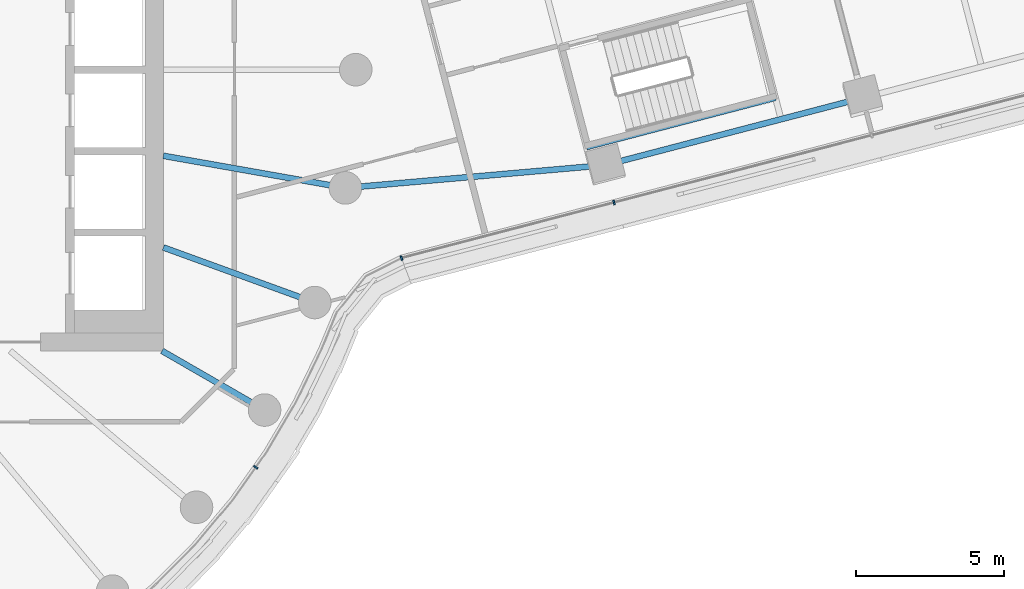
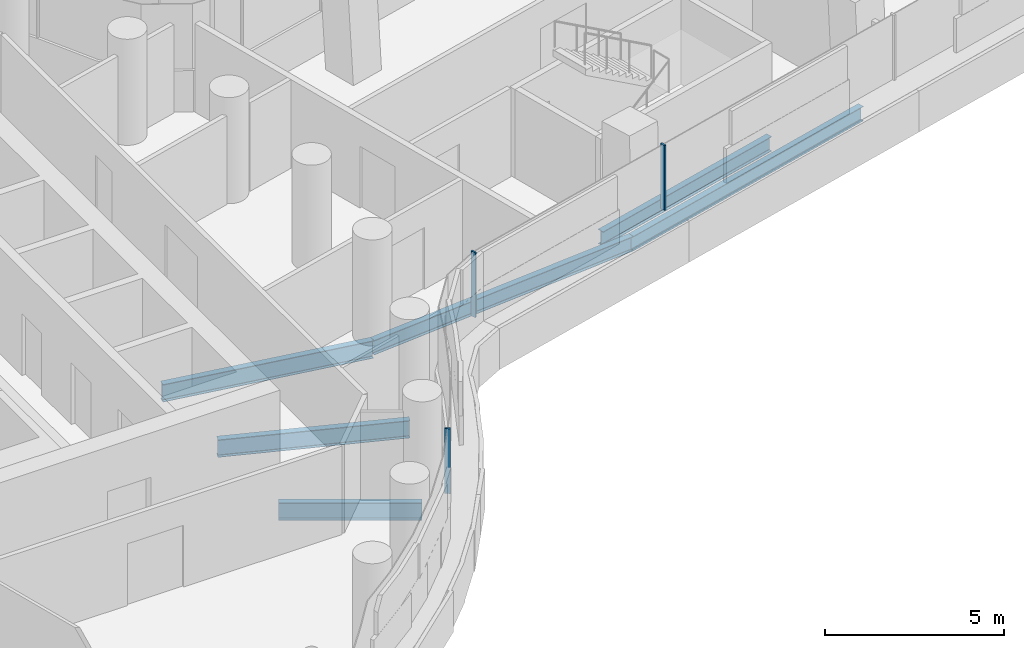
# One storey, part 9 of 30: 6 beams, 3 members, 2 elements without a shape of their own.
"""IFC4 building model written with IfcOpenShell, lengths in metres."""

from ifc_helpers import new_model, si_unit, direction, frame, origin, origin_2d, place, context, subcontext, project, spatial, rectangle, i_section, extrude, material, layer, layer_set, material_profile, profile_set, type_object, element, aggregate, save


model = new_model("IFC4")

# Units and contexts
model_context = context("Model", 3, precision=1e-05, world=origin(), true_north=direction((0.0, 1.0)))
body_context = subcontext(model_context, "Body", "Model", "MODEL_VIEW")
ifc_project = project(units=[si_unit("LENGTHUNIT", "METRE"), si_unit("AREAUNIT", "SQUARE_METRE"), si_unit("VOLUMEUNIT", "CUBIC_METRE"), si_unit("PLANEANGLEUNIT", "RADIAN"), si_unit("MASSUNIT", "GRAM", prefix="KILO")], contexts=[model_context])

# Site, building, storey
site_placement = place(None, origin())
site = spatial("IfcSite", under=ifc_project, at=site_placement, CompositionType="ELEMENT")
building_placement = place(site_placement, origin())
building = spatial("IfcBuilding", under=site, at=building_placement, Name="Tamarind Cross Interchange Tower", CompositionType="ELEMENT")
storey_placement = place(building_placement, frame((0.0, 0.0, 87.25)))
storey = spatial("IfcBuildingStorey", under=building, at=storey_placement, Name="L20", CompositionType="ELEMENT", Elevation=87.25)

# Beams
ifc_material_1 = material(Name="Steel Q355B", Category="steel")
ifc_material_profile_1 = material_profile(ifc_material_1, i_section(OverallWidth=0.198974609375, OverallDepth=0.49609375, WebThickness=0.009033203125, FlangeThickness=0.013916015625, FilletRadius=0.012939453125, at=origin_2d()), Name="HN 496x199x9x14")
ifc_profile_set_1 = profile_set([ifc_material_profile_1], Name="Steel Q355B")
beam_type_1 = type_object("IfcBeamType", Name="Composite beam HN 496x199x9x14 Q355B", PredefinedType="BEAM", material=ifc_profile_set_1)
beam_1_placement = place(storey_placement, frame((40.128173828125, -0.952880859375, -0.387939453125), z_axis=(-0.96758384761, -0.252549990783, 0.0), x_axis=(0.252549990783, -0.96758384761, 0.0)))
element("IfcBeam", 1, at=beam_1_placement, inside=storey, type_object=beam_type_1, Name="Beam E-edgeem6", PredefinedType="BEAM", context=body_context, shape_type="SweptSolid", body=[
    extrude(i_section(OverallWidth=0.198974609375, OverallDepth=0.49609375, WebThickness=0.009033203125, FlangeThickness=0.013916015625, FilletRadius=0.012939453125, at=origin_2d()), origin(), (0.0, 0.0, 1.0), 9.0),
])
beam_2_placement = place(storey_placement, frame((31.419921875, -3.225830078125, -0.387939453125), z_axis=(-0.996186278222, -0.08725192882, 0.0), x_axis=(0.08725192882, -0.996186278222, 0.0)))
element("IfcBeam", 2, at=beam_2_placement, inside=storey, type_object=beam_type_1, Name="Beam E-linkem", PredefinedType="BEAM", context=body_context, shape_type="SweptSolid", body=[
    extrude(i_section(OverallWidth=0.198974609375, OverallDepth=0.49609375, WebThickness=0.009033203125, FlangeThickness=0.013916015625, FilletRadius=0.012939453125, at=origin_2d()), origin(), (0.0, 0.0, 1.0), 8.802978515625),
])
beam_3_placement = place(storey_placement, frame((30.795166015625, -2.61376953125, -0.387939453125), z_axis=(0.967586231521, 0.252540857231, 0.0), x_axis=(-0.252540857231, 0.967586231521, 0.0)))
element("IfcBeam", 3, at=beam_3_placement, inside=storey, type_object=beam_type_1, Name="Beam E-tr0", PredefinedType="BEAM", context=body_context, shape_type="SweptSolid", body=[
    extrude(i_section(OverallWidth=0.198974609375, OverallDepth=0.49609375, WebThickness=0.009033203125, FlangeThickness=0.013916015625, FilletRadius=0.012939453125, at=origin_2d()), origin(), (0.0, 0.0, 1.0), 6.599853515625),
])
ifc_material_profile_2 = material_profile(ifc_material_1, i_section(OverallWidth=0.198974609375, OverallDepth=0.595947265625, WebThickness=0.010009765625, FlangeThickness=0.014892578125, FilletRadius=0.012939453125, at=origin_2d()), Name="HN 596x199x10x15")
ifc_profile_set_2 = profile_set([ifc_material_profile_2], Name="Steel Q355B")
beam_type_2 = type_object("IfcBeamType", Name="Composite beam HN 596x199x10x15 Q355B", PredefinedType="BEAM", material=ifc_profile_set_2)
beam_4_placement = place(storey_placement, frame((19.918701171875, -11.5, -0.43798828125), z_axis=(-0.866026010844, 0.49999894854, 0.0), x_axis=(-0.49999894854, -0.866026010844, 0.0)))
element("IfcBeam", 4, at=beam_4_placement, inside=storey, type_object=beam_type_2, Name="Beam HH33", PredefinedType="BEAM", context=body_context, shape_type="SweptSolid", body=[
    extrude(i_section(OverallWidth=0.198974609375, OverallDepth=0.595947265625, WebThickness=0.010009765625, FlangeThickness=0.014892578125, FilletRadius=0.012939453125, at=origin_2d()), origin(), (0.0, 0.0, 1.0), 4.0),
])
beam_5_placement = place(storey_placement, frame((21.613037109375, -7.866455078125, -0.43798828125), z_axis=(-0.939701685589, 0.341995236956, 0.0), x_axis=(-0.341995236956, -0.939701685589, 0.0)))
element("IfcBeam", 5, at=beam_5_placement, inside=storey, type_object=beam_type_2, Name="Beam HH34", PredefinedType="BEAM", context=body_context, shape_type="SweptSolid", body=[
    extrude(i_section(OverallWidth=0.198974609375, OverallDepth=0.595947265625, WebThickness=0.010009765625, FlangeThickness=0.014892578125, FilletRadius=0.012939453125, at=origin_2d()), origin(), (0.0, 0.0, 1.0), 5.441162109375),
])
beam_6_placement = place(storey_placement, frame((22.650634765625, -3.993896484375, -0.43798828125), z_axis=(-0.984809127561, 0.173640382036, 0.0), x_axis=(-0.173640382036, -0.984809127561, 0.0)))
element("IfcBeam", 6, at=beam_6_placement, inside=storey, type_object=beam_type_2, Name="Beam HH35", PredefinedType="BEAM", context=body_context, shape_type="SweptSolid", body=[
    extrude(i_section(OverallWidth=0.198974609375, OverallDepth=0.595947265625, WebThickness=0.010009765625, FlangeThickness=0.014892578125, FilletRadius=0.012939453125, at=origin_2d()), origin(), (0.0, 0.0, 1.0), 6.24560546875),
])

# Curtain wall, member
ifc_material_2 = material(Name="Aluminium 6063-T6", Category="aluminium")
ifc_layer = layer(ifc_material_2, 0.159912109375)
ifc_layer_set = layer_set([ifc_layer], Name="Aluminium 6063-T6")
curtain_wall_type = type_object("IfcCurtainWallType", Name="Office curtain wall, 9.0 m bays", PredefinedType="NOTDEFINED", material=ifc_layer_set)
curtain_wall_1_placement = place(storey_placement, origin())
curtain_wall_1 = element("IfcCurtainWall", 7, at=curtain_wall_1_placement, inside=storey, type_object=curtain_wall_type, Name="CWS-L20-10", PredefinedType="NOTDEFINED")
ifc_material_profile_3 = material_profile(ifc_material_2, rectangle(XDim=0.06005859375, YDim=0.159912109375, at=origin_2d()), Name="Mullion CW1")
ifc_profile_set_3 = profile_set([ifc_material_profile_3], Name="Aluminium 6063-T6")
member_type = type_object("IfcMemberType", Name="Mullion CW1", PredefinedType="MULLION", material=ifc_profile_set_3)
member_1_placement = place(storey_placement, frame((19.62060546875, -13.4326171875, 1.39990234375), z_axis=(0.0, 0.0, 1.0), x_axis=(0.577568978284, 0.816341886298, 0.0)))
member_1 = element("IfcMember", 8, at=member_1_placement, type_object=member_type, Name="CWM-L20-10-02", PredefinedType="MULLION", context=body_context, shape_type="SweptSolid", body=[
    extrude(rectangle(XDim=0.06005859375, YDim=0.159912109375, at=origin_2d()), origin(), (0.0, 0.0, 1.0), 2.210205078125),
])
aggregate(curtain_wall_1, [member_1])

# Curtain wall, members
curtain_wall_2_placement = place(storey_placement, origin())
curtain_wall_2 = element("IfcCurtainWall", 9, at=curtain_wall_2_placement, inside=storey, type_object=curtain_wall_type, Name="CWS-L20-11", PredefinedType="NOTDEFINED")
member_2_placement = place(storey_placement, frame((24.545166015625, -6.363525390625, 1.39990234375), z_axis=(0.0, 0.0, 1.0), x_axis=(0.935030868589, 0.354566319306, 0.0)))
member_2 = element("IfcMember", 10, at=member_2_placement, type_object=member_type, Name="CWM-L20-11-00", PredefinedType="MULLION", context=body_context, shape_type="SweptSolid", body=[
    extrude(rectangle(XDim=0.06005859375, YDim=0.159912109375, at=origin_2d()), origin(), (0.0, 0.0, 1.0), 2.210205078125),
])
member_3_placement = place(storey_placement, frame((31.72607421875, -4.489501953125, 1.39990234375), z_axis=(0.0, 0.0, 1.0), x_axis=(0.967589396666, 0.252528729967, 0.0)))
member_3 = element("IfcMember", 11, at=member_3_placement, type_object=member_type, Name="CWM-L20-11-01", PredefinedType="MULLION", context=body_context, shape_type="SweptSolid", body=[
    extrude(rectangle(XDim=0.06005859375, YDim=0.159912109375, at=origin_2d()), origin(), (0.0, 0.0, 1.0), 2.210205078125),
])
aggregate(curtain_wall_2, [member_2, member_3])

save(model, "model.ifc")
